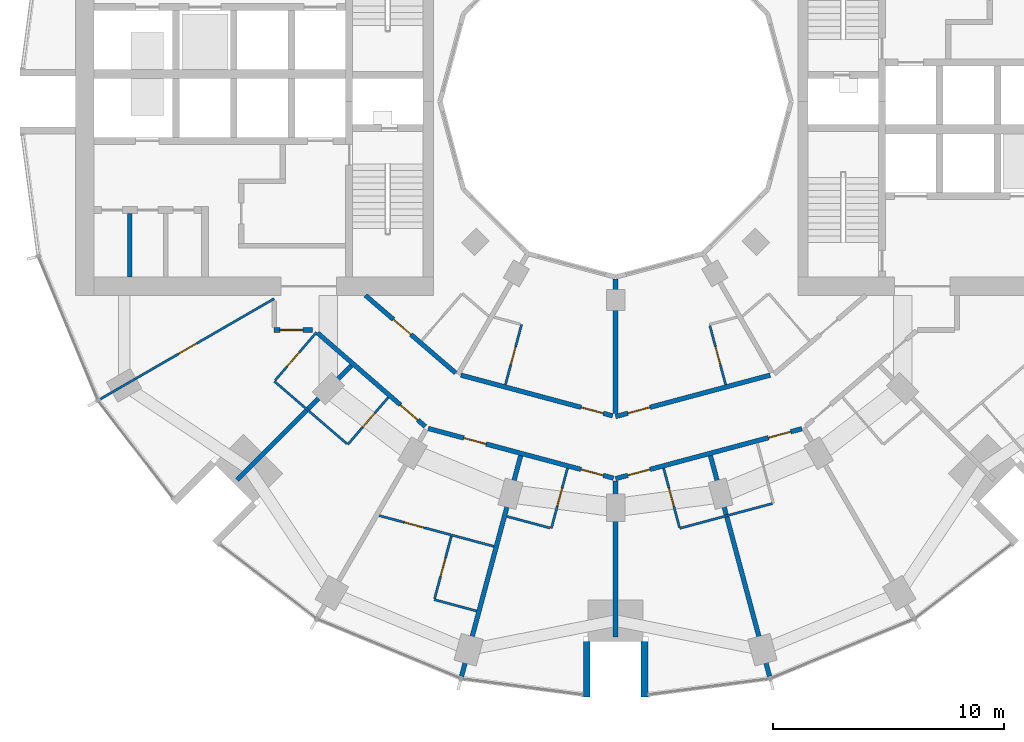
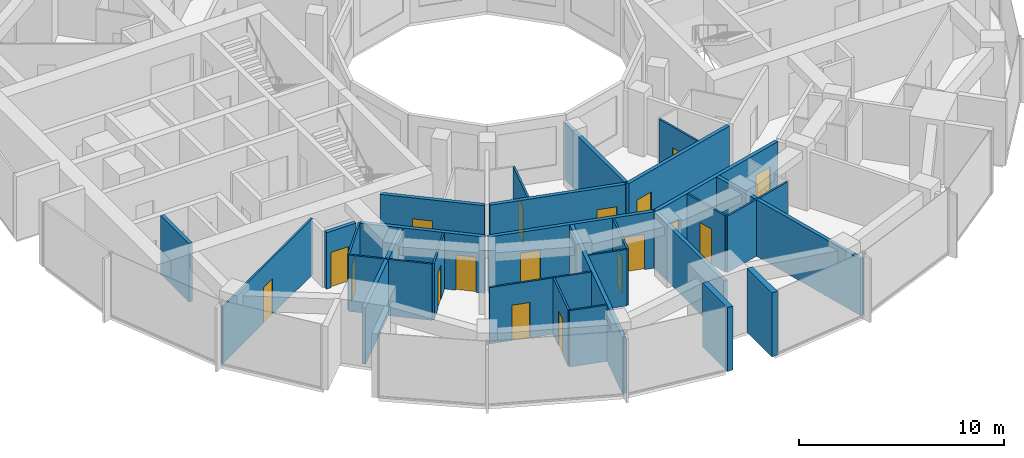
# One storey, part 8 of 15: 28 walls, 18 doors, 18 openings.
"""IFC4 building model written with IfcOpenShell, lengths in metres."""

from ifc_helpers import new_model, si_unit, direction, frame, frame_2d, origin, place, context, subcontext, project, spatial, rectangle, extrude, material, layer, layer_set, type_object, element, fill, save


model = new_model("IFC4")

# Units and contexts
model_context = context("Model", 3, precision=1e-05, world=origin(), true_north=direction((0.0, 1.0)))
body_context = subcontext(model_context, "Body", "Model", "MODEL_VIEW")
ifc_project = project(units=[si_unit("LENGTHUNIT", "METRE"), si_unit("AREAUNIT", "SQUARE_METRE"), si_unit("VOLUMEUNIT", "CUBIC_METRE"), si_unit("PLANEANGLEUNIT", "RADIAN"), si_unit("MASSUNIT", "GRAM", prefix="KILO")], contexts=[model_context])

# Site, building, storey
site_placement = place(None, origin())
site = spatial("IfcSite", under=ifc_project, at=site_placement, CompositionType="ELEMENT")
building_placement = place(site_placement, origin())
building = spatial("IfcBuilding", under=site, at=building_placement, Name="Torre Brocal", CompositionType="ELEMENT")
storey_placement = place(building_placement, frame((0.0, 0.0, 51.60009765625)))
storey = spatial("IfcBuildingStorey", under=building, at=storey_placement, Name="L11", CompositionType="ELEMENT", Elevation=51.60009765625)

# Walls
ifc_material_1 = material(Name="Masonry block", Category="masonry")
ifc_layer_1 = layer(ifc_material_1, 0.199951171875)
ifc_layer_set_1 = layer_set([ifc_layer_1], Name="Masonry block")
wall_type_1 = type_object("IfcWallType", Name="CORE PARTITION 200", PredefinedType="PARTITIONING", material=ifc_layer_set_1)
wall_1_placement = place(storey_placement, frame((58.949951171875, 70.14990234375, 0.0), z_axis=(0.0, 0.0, 1.0), x_axis=(0.0, -1.0, 0.0)))
element("IfcWall", 1, at=wall_1_placement, inside=storey, type_object=wall_type_1, Name="Wall CP200", PredefinedType="PARTITIONING", context=body_context, shape_type="SweptSolid", body=[
    extrude(rectangle(XDim=2.75, YDim=0.199951171875, at=frame_2d((1.375, 0.0))), origin(), (0.0, 0.0, 1.0), 3.47998046875),
])
ifc_material_2 = material(Name="Concrete C80", Category="concrete")
ifc_layer_2 = layer(ifc_material_2, 0.300048828125)
ifc_layer_set_2 = layer_set([ifc_layer_2], Name="Concrete C80")
wall_type_2 = type_object("IfcWallType", Name="NOTCH RETURN WALL 300 C80", PredefinedType="NOTDEFINED", material=ifc_layer_set_2)
for number, where, z_axis, x_axis, name in (
    (2, (78.75, 51.60009765625, 0.0), (0.0, 0.0, 1.0), (0.0, -1.0, 0.0), "NOTCH RETURN WALL"),
    (3, (81.25, 51.60009765625, 0.0), (0.0, 0.0, 1.0), (0.0, -1.0, 0.0), "NOTCH RETURN WALL"),
):
    element("IfcWall", number, at=place(storey_placement, frame(where, z_axis=z_axis, x_axis=x_axis)), inside=storey, type_object=wall_type_2, Name=name, PredefinedType="NOTDEFINED", context=body_context, shape_type="SweptSolid", body=[
        extrude(rectangle(XDim=2.415771484375, YDim=0.300048828125, at=frame_2d((1.2080078125, 0.0))), origin(), (0.0, 0.0, 1.0), 3.7998046875),
    ])

# Wall, opening, door
ifc_material_3 = material(Name="Gypsum board", Category="Gypsum")
ifc_layer_3 = layer(ifc_material_3, 0.10009765625)
ifc_layer_set_3 = layer_set([ifc_layer_3], Name="Gypsum board")
wall_type_3 = type_object("IfcWallType", Name="PARTITION 100", PredefinedType="PARTITIONING", material=ifc_layer_set_3)
wall_2_placement = place(storey_placement, frame((57.65869140625, 62.10107421875, 0.0), z_axis=(0.0, 0.0, 1.0), x_axis=(0.86602264145, 0.500004784474, 0.0)))
wall_2 = element("IfcWall", 4, at=wall_2_placement, inside=storey, type_object=wall_type_3, Name="ROOM PARTITION", PredefinedType="PARTITIONING", context=body_context, shape_type="SweptSolid", body=[
    extrude(rectangle(XDim=8.7080078125, YDim=0.10009765625, at=frame_2d((4.35400390625, 0.0))), origin(), (0.0, 0.0, 1.0), 3.349853515625),
])
opening_1_placement = place(wall_2_placement, frame((3.928955078125, 0.0, 0.0)))
opening_1 = element("IfcOpeningElement", 5, at=opening_1_placement, cuts=wall_2, Name="Opening H03-D38", PredefinedType="OPENING", context=body_context, shape_type="SweptSolid", body=[
    extrude(rectangle(XDim=0.89990234375, YDim=2.10009765625, at=frame_2d((0.449951171875, 1.050048828125))), frame((0.0, 0.06005859375, 0.0), z_axis=(0.0, -1.0, 0.0), x_axis=(1.0, 0.0, 0.0)), (0.0, 0.0, 1.0), 0.1201171875),
])
ifc_material_4 = material(Name="Timber", Category="wood")
door_type_1 = type_object("IfcDoorType", Name="ROOM DOOR 900X2100", OperationType="SINGLE_SWING_LEFT", PredefinedType="DOOR", material=ifc_material_4)
door_1_placement = place(opening_1_placement, origin())
door_1 = element("IfcDoor", 6, at=door_1_placement, inside=storey, type_object=door_type_1, Name="H03-D38", OperationType="SINGLE_SWING_RIGHT", OverallHeight=2.10009765625, OverallWidth=0.89990234375, PredefinedType="DOOR", context=body_context, shape_type="SweptSolid", body=[
    extrude(rectangle(XDim=0.89990234375, YDim=2.10009765625, at=frame_2d((0.449951171875, 1.050048828125))), frame((0.0, 0.02490234375, 0.0), z_axis=(0.0, -1.0, 0.0), x_axis=(1.0, 0.0, 0.0)), (0.0, 0.0, 1.0), 0.050048828125),
])
fill(opening_1, door_1)

wall_3_placement = place(storey_placement, frame((65.24169921875, 62.911865234375, 0.0), z_axis=(0.0, 0.0, 1.0), x_axis=(0.652069888227, 0.758158862553, 0.0)))
wall_3 = element("IfcWall", 7, at=wall_3_placement, inside=storey, type_object=wall_type_3, Name="BATHROOM WALL", PredefinedType="PARTITIONING", context=body_context, shape_type="SweptSolid", body=[
    extrude(rectangle(XDim=2.75, YDim=0.10009765625, at=frame_2d((1.375, 0.0))), origin(), (0.0, 0.0, 1.0), 3.349853515625),
])
opening_2_placement = place(wall_3_placement, frame((0.800048828125, 0.0, 0.0)))
opening_2 = element("IfcOpeningElement", 8, at=opening_2_placement, cuts=wall_3, Name="Opening H03-D37", PredefinedType="OPENING", context=body_context, shape_type="SweptSolid", body=[
    extrude(rectangle(XDim=0.800048828125, YDim=2.10009765625, at=frame_2d((0.39990234375, 1.050048828125))), frame((0.0, 0.06005859375, 0.0), z_axis=(0.0, -1.0, 0.0), x_axis=(1.0, 0.0, 0.0)), (0.0, 0.0, 1.0), 0.1201171875),
])
ifc_material_5 = material(Name="Timber", Category="wood")
door_type_2 = type_object("IfcDoorType", Name="BATHROOM DOOR 800X2100", OperationType="SINGLE_SWING_LEFT", PredefinedType="DOOR", material=ifc_material_5)
door_2_placement = place(opening_2_placement, frame((0.800048828125, 0.0, 0.0), z_axis=(0.0, 0.0, 1.0), x_axis=(-1.0, 0.0, 0.0)))
door_2 = element("IfcDoor", 9, at=door_2_placement, inside=storey, type_object=door_type_2, Name="H03-D37", OperationType="SINGLE_SWING_RIGHT", OverallHeight=2.10009765625, OverallWidth=0.800048828125, PredefinedType="DOOR", context=body_context, shape_type="SweptSolid", body=[
    extrude(rectangle(XDim=0.800048828125, YDim=2.10009765625, at=frame_2d((0.39990234375, 1.050048828125))), frame((0.0, 0.02490234375, 0.0), z_axis=(0.0, -1.0, 0.0), x_axis=(1.0, 0.0, 0.0)), (0.0, 0.0, 1.0), 0.050048828125),
])
fill(opening_2, door_2)

# Wall
wall_4_placement = place(storey_placement, frame((65.209228515625, 62.87451171875, 0.0), z_axis=(0.0, 0.0, 1.0), x_axis=(0.757930378138, -0.652335451969, 0.0)))
element("IfcWall", 10, at=wall_4_placement, inside=storey, type_object=wall_type_3, Name="BATHROOM WALL", PredefinedType="PARTITIONING", context=body_context, shape_type="SweptSolid", body=[
    extrude(rectangle(XDim=4.150146484375, YDim=0.10009765625, at=frame_2d((2.0751953125, 0.0))), origin(), (0.0, 0.0, 1.0), 3.349853515625),
])

# Wall, opening, door
wall_5_placement = place(storey_placement, frame((68.39306640625, 60.135009765625, 0.0), z_axis=(0.0, 0.0, 1.0), x_axis=(0.652061182569, 0.758166349944, 0.0)))
wall_5 = element("IfcWall", 11, at=wall_5_placement, inside=storey, type_object=wall_type_3, Name="BATHROOM WALL", PredefinedType="PARTITIONING", context=body_context, shape_type="SweptSolid", body=[
    extrude(rectangle(XDim=2.689697265625, YDim=0.10009765625, at=frame_2d((1.3447265625, 0.0))), origin(), (0.0, 0.0, 1.0), 3.349853515625),
])
opening_3_placement = place(wall_5_placement, frame((1.0, 0.0, 0.0)))
opening_3 = element("IfcOpeningElement", 12, at=opening_3_placement, cuts=wall_5, Name="Opening H03-D35", PredefinedType="OPENING", context=body_context, shape_type="SweptSolid", body=[
    extrude(rectangle(XDim=0.800048828125, YDim=2.10009765625, at=frame_2d((0.39990234375, 1.050048828125))), frame((0.0, 0.06005859375, 0.0), z_axis=(0.0, -1.0, 0.0), x_axis=(1.0, 0.0, 0.0)), (0.0, 0.0, 1.0), 0.1201171875),
])
door_3_placement = place(opening_3_placement, origin())
door_3 = element("IfcDoor", 13, at=door_3_placement, inside=storey, type_object=door_type_2, Name="H03-D35", OperationType="SINGLE_SWING_RIGHT", OverallHeight=2.10009765625, OverallWidth=0.800048828125, PredefinedType="DOOR", context=body_context, shape_type="SweptSolid", body=[
    extrude(rectangle(XDim=0.800048828125, YDim=2.10009765625, at=frame_2d((0.39990234375, 1.050048828125))), frame((0.0, 0.02490234375, 0.0), z_axis=(0.0, -1.0, 0.0), x_axis=(1.0, 0.0, 0.0)), (0.0, 0.0, 1.0), 0.050048828125),
])
fill(opening_3, door_3)

wall_6_placement = place(storey_placement, frame((69.759521484375, 57.050537109375, 0.0), z_axis=(0.0, 0.0, 1.0), x_axis=(0.965880475586, -0.258988236958, 0.0)))
wall_6 = element("IfcWall", 14, at=wall_6_placement, inside=storey, type_object=wall_type_3, Name="BATHROOM WALL", PredefinedType="PARTITIONING", context=body_context, shape_type="SweptSolid", body=[
    extrude(rectangle(XDim=5.14599609375, YDim=0.10009765625, at=frame_2d((2.572998046875, 0.0))), origin(), (0.0, 0.0, 1.0), 3.349853515625),
])
opening_4_placement = place(wall_6_placement, frame((1.127685546875, 0.0, 0.0)))
opening_4 = element("IfcOpeningElement", 15, at=opening_4_placement, cuts=wall_6, Name="Opening H03-D32", PredefinedType="OPENING", context=body_context, shape_type="SweptSolid", body=[
    extrude(rectangle(XDim=0.89990234375, YDim=2.10009765625, at=frame_2d((0.449951171875, 1.050048828125))), frame((0.0, 0.06005859375, 0.0), z_axis=(0.0, -1.0, 0.0), x_axis=(1.0, 0.0, 0.0)), (0.0, 0.0, 1.0), 0.1201171875),
])
door_4_placement = place(opening_4_placement, origin())
door_4 = element("IfcDoor", 16, at=door_4_placement, inside=storey, type_object=door_type_1, Name="H03-D32", OperationType="SINGLE_SWING_LEFT", OverallHeight=2.10009765625, OverallWidth=0.89990234375, PredefinedType="DOOR", context=body_context, shape_type="SweptSolid", body=[
    extrude(rectangle(XDim=0.89990234375, YDim=2.10009765625, at=frame_2d((0.449951171875, 1.050048828125))), frame((0.0, 0.02490234375, 0.0), z_axis=(0.0, -1.0, 0.0), x_axis=(1.0, 0.0, 0.0)), (0.0, 0.0, 1.0), 0.050048828125),
])
fill(opening_4, door_4)

wall_7_placement = place(storey_placement, frame((72.156982421875, 53.457275390625, 0.0), z_axis=(0.0, 0.0, 1.0), x_axis=(0.258975798317, 0.965883810759, 0.0)))
wall_7 = element("IfcWall", 17, at=wall_7_placement, inside=storey, type_object=wall_type_3, Name="BATHROOM WALL", PredefinedType="PARTITIONING", context=body_context, shape_type="SweptSolid", body=[
    extrude(rectangle(XDim=2.7998046875, YDim=0.10009765625, at=frame_2d((1.39990234375, 0.0))), origin(), (0.0, 0.0, 1.0), 3.349853515625),
])
opening_5_placement = place(wall_7_placement, frame((1.0, 0.0, 0.0)))
opening_5 = element("IfcOpeningElement", 18, at=opening_5_placement, cuts=wall_7, Name="Opening H03-D33", PredefinedType="OPENING", context=body_context, shape_type="SweptSolid", body=[
    extrude(rectangle(XDim=0.800048828125, YDim=2.10009765625, at=frame_2d((0.39990234375, 1.050048828125))), frame((0.0, 0.06005859375, 0.0), z_axis=(0.0, -1.0, 0.0), x_axis=(1.0, 0.0, 0.0)), (0.0, 0.0, 1.0), 0.1201171875),
])
door_5_placement = place(opening_5_placement, frame((0.800048828125, 0.0, 0.0), z_axis=(0.0, 0.0, 1.0), x_axis=(-1.0, 0.0, 0.0)))
door_5 = element("IfcDoor", 19, at=door_5_placement, inside=storey, type_object=door_type_2, Name="H03-D33", OperationType="SINGLE_SWING_LEFT", OverallHeight=2.10009765625, OverallWidth=0.800048828125, PredefinedType="DOOR", context=body_context, shape_type="SweptSolid", body=[
    extrude(rectangle(XDim=0.800048828125, YDim=2.10009765625, at=frame_2d((0.39990234375, 1.050048828125))), frame((0.0, 0.02490234375, 0.0), z_axis=(0.0, -1.0, 0.0), x_axis=(1.0, 0.0, 0.0)), (0.0, 0.0, 1.0), 0.050048828125),
])
fill(opening_5, door_5)

# Walls
wall_8_placement = place(storey_placement, frame((72.14404296875, 53.408935546875, 0.0), z_axis=(0.0, 0.0, 1.0), x_axis=(0.965907902023, -0.258885930111, 0.0)))
element("IfcWall", 20, at=wall_8_placement, inside=storey, type_object=wall_type_3, Name="BATHROOM WALL", PredefinedType="PARTITIONING", context=body_context, shape_type="SweptSolid", body=[
    extrude(rectangle(XDim=1.900146484375, YDim=0.10009765625, at=frame_2d((0.9501953125, 0.0))), origin(), (0.0, 0.0, 1.0), 3.349853515625),
])
wall_9_placement = place(storey_placement, frame((75.285888671875, 57.01806640625, 0.0), z_axis=(0.0, 0.0, 1.0), x_axis=(0.966003902934, -0.258527483095, 0.0)))
element("IfcWall", 21, at=wall_9_placement, inside=storey, type_object=wall_type_3, Name="BATHROOM WALL", PredefinedType="PARTITIONING", context=body_context, shape_type="SweptSolid", body=[
    extrude(rectangle(XDim=1.9501953125, YDim=0.10009765625, at=frame_2d((0.97509765625, 0.0))), origin(), (0.0, 0.0, 1.0), 3.349853515625),
])

# Wall, opening, door
wall_10_placement = place(storey_placement, frame((75.226806640625, 62.728759765625, 0.0), z_axis=(0.0, 0.0, 1.0), x_axis=(0.258945475746, 0.965891940432, 0.0)))
wall_10 = element("IfcWall", 22, at=wall_10_placement, inside=storey, type_object=wall_type_3, Name="BATHROOM WALL", PredefinedType="PARTITIONING", context=body_context, shape_type="SweptSolid", body=[
    extrude(rectangle(XDim=2.7001953125, YDim=0.10009765625, at=frame_2d((1.35009765625, 0.0))), origin(), (0.0, 0.0, 1.0), 3.349853515625),
])
opening_6_placement = place(wall_10_placement, frame((0.900146484375, 0.0, 0.0)))
opening_6 = element("IfcOpeningElement", 23, at=opening_6_placement, cuts=wall_10, Name="Opening H03-D44", PredefinedType="OPENING", context=body_context, shape_type="SweptSolid", body=[
    extrude(rectangle(XDim=0.800048828125, YDim=2.10009765625, at=frame_2d((0.39990234375, 1.050048828125))), frame((0.0, 0.06005859375, 0.0), z_axis=(0.0, -1.0, 0.0), x_axis=(1.0, 0.0, 0.0)), (0.0, 0.0, 1.0), 0.1201171875),
])
door_6_placement = place(opening_6_placement, origin())
door_6 = element("IfcDoor", 24, at=door_6_placement, inside=storey, type_object=door_type_2, Name="H03-D44", OperationType="SINGLE_SWING_LEFT", OverallHeight=2.10009765625, OverallWidth=0.800048828125, PredefinedType="DOOR", context=body_context, shape_type="SweptSolid", body=[
    extrude(rectangle(XDim=0.800048828125, YDim=2.10009765625, at=frame_2d((0.39990234375, 1.050048828125))), frame((0.0, 0.02490234375, 0.0), z_axis=(0.0, -1.0, 0.0), x_axis=(1.0, 0.0, 0.0)), (0.0, 0.0, 1.0), 0.050048828125),
])
fill(opening_6, door_6)

wall_11_placement = place(storey_placement, frame((77.218017578125, 56.5009765625, 0.0), z_axis=(0.0, 0.0, 1.0), x_axis=(0.258591408257, 0.965986792651, 0.0)))
wall_11 = element("IfcWall", 25, at=wall_11_placement, inside=storey, type_object=wall_type_3, Name="BATHROOM WALL", PredefinedType="PARTITIONING", context=body_context, shape_type="SweptSolid", body=[
    extrude(rectangle(XDim=2.69921875, YDim=0.10009765625, at=frame_2d((1.349609375, 0.0))), origin(), (0.0, 0.0, 1.0), 3.349853515625),
])
opening_7_placement = place(wall_11_placement, frame((0.99951171875, 0.0, 0.0)))
opening_7 = element("IfcOpeningElement", 26, at=opening_7_placement, cuts=wall_11, Name="Opening H03-D30", PredefinedType="OPENING", context=body_context, shape_type="SweptSolid", body=[
    extrude(rectangle(XDim=0.800048828125, YDim=2.10009765625, at=frame_2d((0.39990234375, 1.050048828125))), frame((0.0, 0.06005859375, 0.0), z_axis=(0.0, -1.0, 0.0), x_axis=(1.0, 0.0, 0.0)), (0.0, 0.0, 1.0), 0.1201171875),
])
door_7_placement = place(opening_7_placement, origin())
door_7 = element("IfcDoor", 27, at=door_7_placement, inside=storey, type_object=door_type_2, Name="H03-D30", OperationType="SINGLE_SWING_RIGHT", OverallHeight=2.10009765625, OverallWidth=0.800048828125, PredefinedType="DOOR", context=body_context, shape_type="SweptSolid", body=[
    extrude(rectangle(XDim=0.800048828125, YDim=2.10009765625, at=frame_2d((0.39990234375, 1.050048828125))), frame((0.0, 0.02490234375, 0.0), z_axis=(0.0, -1.0, 0.0), x_axis=(1.0, 0.0, 0.0)), (0.0, 0.0, 1.0), 0.050048828125),
])
fill(opening_7, door_7)

wall_12_placement = place(storey_placement, frame((82.083984375, 59.1083984375, 0.0), z_axis=(0.0, 0.0, 1.0), x_axis=(0.258591746437, -0.965986702121, 0.0)))
wall_12 = element("IfcWall", 28, at=wall_12_placement, inside=storey, type_object=wall_type_3, Name="BATHROOM WALL", PredefinedType="PARTITIONING", context=body_context, shape_type="SweptSolid", body=[
    extrude(rectangle(XDim=2.649169921875, YDim=0.10009765625, at=frame_2d((1.32470703125, 0.0))), origin(), (0.0, 0.0, 1.0), 3.349853515625),
])
opening_8_placement = place(wall_12_placement, frame((0.899658203125, 0.0, 0.0)))
opening_8 = element("IfcOpeningElement", 29, at=opening_8_placement, cuts=wall_12, Name="Opening H03-D28", PredefinedType="OPENING", context=body_context, shape_type="SweptSolid", body=[
    extrude(rectangle(XDim=0.800048828125, YDim=2.10009765625, at=frame_2d((0.39990234375, 1.050048828125))), frame((0.0, 0.06005859375, 0.0), z_axis=(0.0, -1.0, 0.0), x_axis=(1.0, 0.0, 0.0)), (0.0, 0.0, 1.0), 0.1201171875),
])
door_8_placement = place(opening_8_placement, origin())
door_8 = element("IfcDoor", 30, at=door_8_placement, inside=storey, type_object=door_type_2, Name="H03-D28", OperationType="SINGLE_SWING_LEFT", OverallHeight=2.10009765625, OverallWidth=0.800048828125, PredefinedType="DOOR", context=body_context, shape_type="SweptSolid", body=[
    extrude(rectangle(XDim=0.800048828125, YDim=2.10009765625, at=frame_2d((0.39990234375, 1.050048828125))), frame((0.0, 0.02490234375, 0.0), z_axis=(0.0, -1.0, 0.0), x_axis=(1.0, 0.0, 0.0)), (0.0, 0.0, 1.0), 0.050048828125),
])
fill(opening_8, door_8)

# Wall
wall_13_placement = place(storey_placement, frame((82.781982421875, 56.5009765625, 0.0), z_axis=(0.0, 0.0, 1.0), x_axis=(0.965999228418, 0.258544949083, 0.0)))
element("IfcWall", 31, at=wall_13_placement, inside=storey, type_object=wall_type_3, Name="BATHROOM WALL", PredefinedType="PARTITIONING", context=body_context, shape_type="SweptSolid", body=[
    extrude(rectangle(XDim=4.150146484375, YDim=0.10009765625, at=frame_2d((2.0751953125, 0.0))), origin(), (0.0, 0.0, 1.0), 3.349853515625),
])

# Wall, opening, door
wall_14_placement = place(storey_placement, frame((84.0869140625, 65.288818359375, 0.0), z_axis=(0.0, 0.0, 1.0), x_axis=(0.258929459649, -0.965896234037, 0.0)))
wall_14 = element("IfcWall", 32, at=wall_14_placement, inside=storey, type_object=wall_type_3, Name="BATHROOM WALL", PredefinedType="PARTITIONING", context=body_context, shape_type="SweptSolid", body=[
    extrude(rectangle(XDim=2.650390625, YDim=0.10009765625, at=frame_2d((1.3251953125, 0.0))), origin(), (0.0, 0.0, 1.0), 3.349853515625),
])
opening_9_placement = place(wall_14_placement, frame((0.9501953125, 0.0, 0.0)))
opening_9 = element("IfcOpeningElement", 33, at=opening_9_placement, cuts=wall_14, Name="Opening H03-D42", PredefinedType="OPENING", context=body_context, shape_type="SweptSolid", body=[
    extrude(rectangle(XDim=0.800048828125, YDim=2.10009765625, at=frame_2d((0.39990234375, 1.050048828125))), frame((0.0, 0.06005859375, 0.0), z_axis=(0.0, -1.0, 0.0), x_axis=(1.0, 0.0, 0.0)), (0.0, 0.0, 1.0), 0.1201171875),
])
door_9_placement = place(opening_9_placement, origin())
door_9 = element("IfcDoor", 34, at=door_9_placement, inside=storey, type_object=door_type_2, Name="H03-D42", OperationType="SINGLE_SWING_RIGHT", OverallHeight=2.10009765625, OverallWidth=0.800048828125, PredefinedType="DOOR", context=body_context, shape_type="SweptSolid", body=[
    extrude(rectangle(XDim=0.800048828125, YDim=2.10009765625, at=frame_2d((0.39990234375, 1.050048828125))), frame((0.0, 0.02490234375, 0.0), z_axis=(0.0, -1.0, 0.0), x_axis=(1.0, 0.0, 0.0)), (0.0, 0.0, 1.0), 0.050048828125),
])
fill(opening_9, door_9)

# Wall
ifc_material_6 = material(Name="Gypsum board", Category="Gypsum")
ifc_layer_4 = layer(ifc_material_6, 0.199951171875)
ifc_layer_set_4 = layer_set([ifc_layer_4], Name="Gypsum board")
wall_type_4 = type_object("IfcWallType", Name="PARTITION 200 EI60", PredefinedType="PARTITIONING", material=ifc_layer_set_4)
wall_15_placement = place(storey_placement, frame((63.595703125, 58.595703125, 0.0), z_axis=(0.0, 0.0, 1.0), x_axis=(0.707106781187, 0.707106781187, 0.0)))
element("IfcWall", 35, at=wall_15_placement, inside=storey, type_object=wall_type_4, Name="BATHROOM WALL", PredefinedType="PARTITIONING", context=body_context, shape_type="SweptSolid", body=[
    extrude(rectangle(XDim=7.00537109375, YDim=0.199951171875, at=frame_2d((3.502685546875, 0.0))), origin(), (0.0, 0.0, 1.0), 3.349853515625),
])

# Wall, opening, door
wall_16_placement = place(storey_placement, frame((65.199951171875, 65.10009765625, 0.0), z_axis=(0.0, 0.0, 1.0), x_axis=(1.0, 0.0, 0.0)))
wall_16 = element("IfcWall", 36, at=wall_16_placement, inside=storey, type_object=wall_type_4, Name="GUESTROOM CORRIDOR WALL", PredefinedType="PARTITIONING", context=body_context, shape_type="SweptSolid", body=[
    extrude(rectangle(XDim=1.6650390625, YDim=0.199951171875, at=frame_2d((0.83251953125, 0.0))), origin(), (0.0, 0.0, 1.0), 3.349853515625),
])
opening_10_placement = place(wall_16_placement, frame((0.25, 0.0, 0.0)))
opening_10 = element("IfcOpeningElement", 37, at=opening_10_placement, cuts=wall_16, Name="Opening H03-D36", PredefinedType="OPENING", context=body_context, shape_type="SweptSolid", body=[
    extrude(rectangle(XDim=1.0, YDim=2.10009765625, at=frame_2d((0.5, 1.050048828125))), frame((0.0, 0.10986328125, 0.0), z_axis=(0.0, -1.0, 0.0), x_axis=(1.0, 0.0, 0.0)), (0.0, 0.0, 1.0), 0.219970703125),
])
ifc_material_7 = material(Name="Timber", Category="wood")
door_type_3 = type_object("IfcDoorType", Name="FLAT ENTRY DOOR FD30S 1000X2100", OperationType="SINGLE_SWING_RIGHT", PredefinedType="DOOR", material=ifc_material_7)
door_10_placement = place(opening_10_placement, frame((1.0, 0.0, 0.0), z_axis=(0.0, 0.0, 1.0), x_axis=(-1.0, 0.0, 0.0)))
door_10 = element("IfcDoor", 38, at=door_10_placement, inside=storey, type_object=door_type_3, Name="H03-D36", OperationType="SINGLE_SWING_RIGHT", OverallHeight=2.10009765625, OverallWidth=1.0, PredefinedType="DOOR", context=body_context, shape_type="SweptSolid", body=[
    extrude(rectangle(XDim=1.0, YDim=2.10009765625, at=frame_2d((0.5, 1.050048828125))), frame((0.0, 0.02490234375, 0.0), z_axis=(0.0, -1.0, 0.0), x_axis=(1.0, 0.0, 0.0)), (0.0, 0.0, 1.0), 0.050048828125),
])
fill(opening_10, door_10)

wall_17_placement = place(storey_placement, frame((67.081298828125, 64.97119140625, 0.0), z_axis=(0.0, 0.0, 1.0), x_axis=(0.755031061605, -0.65568902386, 0.0)))
wall_17 = element("IfcWall", 39, at=wall_17_placement, inside=storey, type_object=wall_type_4, Name="FLAT ENTRANCE WALL", PredefinedType="PARTITIONING", context=body_context, shape_type="SweptSolid", body=[
    extrude(rectangle(XDim=6.185791015625, YDim=0.199951171875, at=frame_2d((3.0927734375, 0.0))), origin(), (0.0, 0.0, 1.0), 3.349853515625),
])
opening_11_placement = place(wall_17_placement, frame((4.755126953125, 0.0, 0.0)))
opening_11 = element("IfcOpeningElement", 40, at=opening_11_placement, cuts=wall_17, Name="Opening H03-D34", PredefinedType="OPENING", context=body_context, shape_type="SweptSolid", body=[
    extrude(rectangle(XDim=1.0, YDim=2.10009765625, at=frame_2d((0.5, 1.050048828125))), frame((0.0, 0.10986328125, 0.0), z_axis=(0.0, -1.0, 0.0), x_axis=(1.0, 0.0, 0.0)), (0.0, 0.0, 1.0), 0.219970703125),
])
door_11_placement = place(opening_11_placement, frame((1.0, 0.0, 0.0), z_axis=(0.0, 0.0, 1.0), x_axis=(-1.0, 0.0, 0.0)))
door_11 = element("IfcDoor", 41, at=door_11_placement, inside=storey, type_object=door_type_3, Name="H03-D34", OperationType="SINGLE_SWING_LEFT", OverallHeight=2.10009765625, OverallWidth=1.0, PredefinedType="DOOR", context=body_context, shape_type="SweptSolid", body=[
    extrude(rectangle(XDim=1.0, YDim=2.10009765625, at=frame_2d((0.5, 1.050048828125))), frame((0.0, 0.02490234375, 0.0), z_axis=(0.0, -1.0, 0.0), x_axis=(1.0, 0.0, 0.0)), (0.0, 0.0, 1.0), 0.050048828125),
])
fill(opening_11, door_11)

wall_18_placement = place(storey_placement, frame((69.158203125, 66.60009765625, 0.0), z_axis=(0.0, 0.0, 1.0), x_axis=(0.757976058094, -0.652282373943, 0.0)))
wall_18 = element("IfcWall", 42, at=wall_18_placement, inside=storey, type_object=wall_type_4, Name="GUESTROOM CORRIDOR WALL", PredefinedType="PARTITIONING", context=body_context, shape_type="SweptSolid", body=[
    extrude(rectangle(XDim=5.160400390625, YDim=0.199951171875, at=frame_2d((2.580078125, 0.0))), origin(), (0.0, 0.0, 1.0), 3.349853515625),
])
opening_12_placement = place(wall_18_placement, frame((1.60009765625, 0.0, 0.0)))
opening_12 = element("IfcOpeningElement", 43, at=opening_12_placement, cuts=wall_18, Name="Opening H03-D45", PredefinedType="OPENING", context=body_context, shape_type="SweptSolid", body=[
    extrude(rectangle(XDim=1.0, YDim=2.10009765625, at=frame_2d((0.5, 1.050048828125))), frame((0.0, 0.10986328125, 0.0), z_axis=(0.0, -1.0, 0.0), x_axis=(1.0, 0.0, 0.0)), (0.0, 0.0, 1.0), 0.219970703125),
])
door_12_placement = place(opening_12_placement, origin())
door_12 = element("IfcDoor", 44, at=door_12_placement, inside=storey, type_object=door_type_3, Name="H03-D45", OperationType="SINGLE_SWING_RIGHT", OverallHeight=2.10009765625, OverallWidth=1.0, PredefinedType="DOOR", context=body_context, shape_type="SweptSolid", body=[
    extrude(rectangle(XDim=1.0, YDim=2.10009765625, at=frame_2d((0.5, 1.050048828125))), frame((0.0, 0.02490234375, 0.0), z_axis=(0.0, -1.0, 0.0), x_axis=(1.0, 0.0, 0.0)), (0.0, 0.0, 1.0), 0.050048828125),
])
fill(opening_12, door_12)

# Wall, openings, doors
wall_19_placement = place(storey_placement, frame((71.877197265625, 60.831298828125, 0.0), z_axis=(0.0, 0.0, 1.0), x_axis=(0.965852509869, -0.259092510851, 0.0)))
wall_19 = element("IfcWall", 45, at=wall_19_placement, inside=storey, type_object=wall_type_4, Name="FLAT ENTRANCE WALL", PredefinedType="PARTITIONING", context=body_context, shape_type="SweptSolid", body=[
    extrude(rectangle(XDim=8.319580078125, YDim=0.199951171875, at=frame_2d((4.15966796875, 0.0))), origin(), (0.0, 0.0, 1.0), 3.349853515625),
])
opening_13_placement = place(wall_19_placement, frame((6.859619140625, 0.0, 0.0)))
opening_13 = element("IfcOpeningElement", 46, at=opening_13_placement, cuts=wall_19, Name="Opening H03-D29", PredefinedType="OPENING", context=body_context, shape_type="SweptSolid", body=[
    extrude(rectangle(XDim=1.0, YDim=2.10009765625, at=frame_2d((0.5, 1.050048828125))), frame((0.0, 0.10986328125, 0.0), z_axis=(0.0, -1.0, 0.0), x_axis=(1.0, 0.0, 0.0)), (0.0, 0.0, 1.0), 0.219970703125),
])
opening_14_placement = place(wall_19_placement, frame((1.599609375, 0.0, 0.0)))
opening_14 = element("IfcOpeningElement", 47, at=opening_14_placement, cuts=wall_19, Name="Opening H03-D31", PredefinedType="OPENING", context=body_context, shape_type="SweptSolid", body=[
    extrude(rectangle(XDim=1.0, YDim=2.10009765625, at=frame_2d((0.5, 1.050048828125))), frame((0.0, 0.10986328125, 0.0), z_axis=(0.0, -1.0, 0.0), x_axis=(1.0, 0.0, 0.0)), (0.0, 0.0, 1.0), 0.219970703125),
])
door_13_placement = place(opening_13_placement, frame((1.0, 0.0, 0.0), z_axis=(0.0, 0.0, 1.0), x_axis=(-1.0, 0.0, 0.0)))
door_13 = element("IfcDoor", 48, at=door_13_placement, inside=storey, type_object=door_type_3, Name="H03-D29", OperationType="SINGLE_SWING_RIGHT", OverallHeight=2.10009765625, OverallWidth=1.0, PredefinedType="DOOR", context=body_context, shape_type="SweptSolid", body=[
    extrude(rectangle(XDim=1.0, YDim=2.10009765625, at=frame_2d((0.5, 1.050048828125))), frame((0.0, 0.02490234375, 0.0), z_axis=(0.0, -1.0, 0.0), x_axis=(1.0, 0.0, 0.0)), (0.0, 0.0, 1.0), 0.050048828125),
])
fill(opening_13, door_13)
door_14_placement = place(opening_14_placement, frame((1.0, 0.0, 0.0), z_axis=(0.0, 0.0, 1.0), x_axis=(-1.0, 0.0, 0.0)))
door_14 = element("IfcDoor", 49, at=door_14_placement, inside=storey, type_object=door_type_3, Name="H03-D31", OperationType="SINGLE_SWING_LEFT", OverallHeight=2.10009765625, OverallWidth=1.0, PredefinedType="DOOR", context=body_context, shape_type="SweptSolid", body=[
    extrude(rectangle(XDim=1.0, YDim=2.10009765625, at=frame_2d((0.5, 1.050048828125))), frame((0.0, 0.02490234375, 0.0), z_axis=(0.0, -1.0, 0.0), x_axis=(1.0, 0.0, 0.0)), (0.0, 0.0, 1.0), 0.050048828125),
])
fill(opening_14, door_14)

# Wall, opening, door
wall_20_placement = place(storey_placement, frame((73.296875, 63.142578125, 0.0), z_axis=(0.0, 0.0, 1.0), x_axis=(0.965859030528, -0.25906820173, 0.0)))
wall_20 = element("IfcWall", 50, at=wall_20_placement, inside=storey, type_object=wall_type_4, Name="GUESTROOM CORRIDOR WALL", PredefinedType="PARTITIONING", context=body_context, shape_type="SweptSolid", body=[
    extrude(rectangle(XDim=6.8095703125, YDim=0.199951171875, at=frame_2d((3.40478515625, 0.0))), origin(), (0.0, 0.0, 1.0), 3.349853515625),
])
opening_15_placement = place(wall_20_placement, frame((5.3896484375, 0.0, 0.0)))
opening_15 = element("IfcOpeningElement", 51, at=opening_15_placement, cuts=wall_20, Name="Opening H03-D43", PredefinedType="OPENING", context=body_context, shape_type="SweptSolid", body=[
    extrude(rectangle(XDim=1.0, YDim=2.10009765625, at=frame_2d((0.5, 1.050048828125))), frame((0.0, 0.10986328125, 0.0), z_axis=(0.0, -1.0, 0.0), x_axis=(1.0, 0.0, 0.0)), (0.0, 0.0, 1.0), 0.219970703125),
])
door_15_placement = place(opening_15_placement, origin())
door_15 = element("IfcDoor", 52, at=door_15_placement, inside=storey, type_object=door_type_3, Name="H03-D43", OperationType="SINGLE_SWING_RIGHT", OverallHeight=2.10009765625, OverallWidth=1.0, PredefinedType="DOOR", context=body_context, shape_type="SweptSolid", body=[
    extrude(rectangle(XDim=1.0, YDim=2.10009765625, at=frame_2d((0.5, 1.050048828125))), frame((0.0, 0.02490234375, 0.0), z_axis=(0.0, -1.0, 0.0), x_axis=(1.0, 0.0, 0.0)), (0.0, 0.0, 1.0), 0.050048828125),
])
fill(opening_15, door_15)

# Walls
wall_21_placement = place(storey_placement, frame((73.322021484375, 50.0810546875, 0.0), z_axis=(0.0, 0.0, 1.0), x_axis=(0.25896431718, 0.965886889044, 0.0)))
element("IfcWall", 53, at=wall_21_placement, inside=storey, type_object=wall_type_4, Name="BATHROOM WALL", PredefinedType="PARTITIONING", context=body_context, shape_type="SweptSolid", body=[
    extrude(rectangle(XDim=9.909423828125, YDim=0.199951171875, at=frame_2d((4.95458984375, 0.0))), origin(), (0.0, 0.0, 1.0), 3.349853515625),
])
wall_22_placement = place(storey_placement, frame((80.0, 51.800048828125, 0.0), z_axis=(0.0, 0.0, 1.0), x_axis=(0.0, 1.0, 0.0)))
element("IfcWall", 54, at=wall_22_placement, inside=storey, type_object=wall_type_4, Name="PARTY PARTITION", PredefinedType="PARTITIONING", context=body_context, shape_type="SweptSolid", body=[
    extrude(rectangle(XDim=6.763916015625, YDim=0.199951171875, at=frame_2d((3.3818359375, 0.0))), origin(), (0.0, 0.0, 1.0), 3.349853515625),
])

# Wall, openings, doors
wall_23_placement = place(storey_placement, frame((79.999755859375, 58.65478515625, 0.0), z_axis=(0.0, 0.0, 1.0), x_axis=(0.965974635626, 0.258636817424, 0.0)))
wall_23 = element("IfcWall", 55, at=wall_23_placement, inside=storey, type_object=wall_type_4, Name="GUESTROOM CORRIDOR WALL", PredefinedType="PARTITIONING", context=body_context, shape_type="SweptSolid", body=[
    extrude(rectangle(XDim=8.359619140625, YDim=0.199951171875, at=frame_2d((4.1796875, 0.0))), origin(), (0.0, 0.0, 1.0), 3.349853515625),
])
opening_16_placement = place(wall_23_placement, frame((6.859619140625, 0.0, 0.0)))
opening_16 = element("IfcOpeningElement", 56, at=opening_16_placement, cuts=wall_23, Name="Opening H03-D25", PredefinedType="OPENING", context=body_context, shape_type="SweptSolid", body=[
    extrude(rectangle(XDim=1.0, YDim=2.10009765625, at=frame_2d((0.5, 1.050048828125))), frame((0.0, 0.10986328125, 0.0), z_axis=(0.0, -1.0, 0.0), x_axis=(1.0, 0.0, 0.0)), (0.0, 0.0, 1.0), 0.219970703125),
])
opening_17_placement = place(wall_23_placement, frame((0.550048828125, 0.0, 0.0)))
opening_17 = element("IfcOpeningElement", 57, at=opening_17_placement, cuts=wall_23, Name="Opening H03-D27", PredefinedType="OPENING", context=body_context, shape_type="SweptSolid", body=[
    extrude(rectangle(XDim=1.0, YDim=2.10009765625, at=frame_2d((0.5, 1.050048828125))), frame((0.0, 0.10986328125, 0.0), z_axis=(0.0, -1.0, 0.0), x_axis=(1.0, 0.0, 0.0)), (0.0, 0.0, 1.0), 0.219970703125),
])
door_16_placement = place(opening_16_placement, frame((1.0, 0.0, 0.0), z_axis=(0.0, 0.0, 1.0), x_axis=(-1.0, 0.0, 0.0)))
door_16 = element("IfcDoor", 58, at=door_16_placement, inside=storey, type_object=door_type_3, Name="H03-D25", OperationType="SINGLE_SWING_RIGHT", OverallHeight=2.10009765625, OverallWidth=1.0, PredefinedType="DOOR", context=body_context, shape_type="SweptSolid", body=[
    extrude(rectangle(XDim=1.0, YDim=2.10009765625, at=frame_2d((0.5, 1.050048828125))), frame((0.0, 0.02490234375, 0.0), z_axis=(0.0, -1.0, 0.0), x_axis=(1.0, 0.0, 0.0)), (0.0, 0.0, 1.0), 0.050048828125),
])
fill(opening_16, door_16)
door_17_placement = place(opening_17_placement, frame((1.0, 0.0, 0.0), z_axis=(0.0, 0.0, 1.0), x_axis=(-1.0, 0.0, 0.0)))
door_17 = element("IfcDoor", 59, at=door_17_placement, inside=storey, type_object=door_type_3, Name="H03-D27", OperationType="SINGLE_SWING_LEFT", OverallHeight=2.10009765625, OverallWidth=1.0, PredefinedType="DOOR", context=body_context, shape_type="SweptSolid", body=[
    extrude(rectangle(XDim=1.0, YDim=2.10009765625, at=frame_2d((0.5, 1.050048828125))), frame((0.0, 0.02490234375, 0.0), z_axis=(0.0, -1.0, 0.0), x_axis=(1.0, 0.0, 0.0)), (0.0, 0.0, 1.0), 0.050048828125),
])
fill(opening_17, door_17)

# Wall
wall_24_placement = place(storey_placement, frame((80.0, 61.47607421875, 0.0), z_axis=(0.0, 0.0, 1.0), x_axis=(0.0, 1.0, 0.0)))
element("IfcWall", 60, at=wall_24_placement, inside=storey, type_object=wall_type_4, Name="PARTY PARTITION", PredefinedType="PARTITIONING", context=body_context, shape_type="SweptSolid", body=[
    extrude(rectangle(XDim=5.824951171875, YDim=0.199951171875, at=frame_2d((2.91259765625, 0.0))), origin(), (0.0, 0.0, 1.0), 3.349853515625),
])

# Wall, opening, door
wall_25_placement = place(storey_placement, frame((80.0, 61.345947265625, 0.0), z_axis=(0.0, 0.0, 1.0), x_axis=(0.965924181808, 0.258825182312, 0.0)))
wall_25 = element("IfcWall", 61, at=wall_25_placement, inside=storey, type_object=wall_type_4, Name="GUESTROOM CORRIDOR WALL", PredefinedType="PARTITIONING", context=body_context, shape_type="SweptSolid", body=[
    extrude(rectangle(XDim=6.939697265625, YDim=0.199951171875, at=frame_2d((3.4697265625, 0.0))), origin(), (0.0, 0.0, 1.0), 3.349853515625),
])
opening_18_placement = place(wall_25_placement, frame((0.550048828125, 0.0, 0.0)))
opening_18 = element("IfcOpeningElement", 62, at=opening_18_placement, cuts=wall_25, Name="Opening H03-D41", PredefinedType="OPENING", context=body_context, shape_type="SweptSolid", body=[
    extrude(rectangle(XDim=1.0, YDim=2.10009765625, at=frame_2d((0.5, 1.050048828125))), frame((0.0, 0.10986328125, 0.0), z_axis=(0.0, -1.0, 0.0), x_axis=(1.0, 0.0, 0.0)), (0.0, 0.0, 1.0), 0.219970703125),
])
door_18_placement = place(opening_18_placement, origin())
door_18 = element("IfcDoor", 63, at=door_18_placement, inside=storey, type_object=door_type_3, Name="H03-D41", OperationType="SINGLE_SWING_LEFT", OverallHeight=2.10009765625, OverallWidth=1.0, PredefinedType="DOOR", context=body_context, shape_type="SweptSolid", body=[
    extrude(rectangle(XDim=1.0, YDim=2.10009765625, at=frame_2d((0.5, 1.050048828125))), frame((0.0, 0.02490234375, 0.0), z_axis=(0.0, -1.0, 0.0), x_axis=(1.0, 0.0, 0.0)), (0.0, 0.0, 1.0), 0.050048828125),
])
fill(opening_18, door_18)

# Wall
wall_26_placement = place(storey_placement, frame((84.112060546875, 59.65234375, 0.0), z_axis=(0.0, 0.0, 1.0), x_axis=(0.258843225553, -0.965919346832, 0.0)))
element("IfcWall", 64, at=wall_26_placement, inside=storey, type_object=wall_type_4, Name="BATHROOM WALL", PredefinedType="PARTITIONING", context=body_context, shape_type="SweptSolid", body=[
    extrude(rectangle(XDim=9.9091796875, YDim=0.199951171875, at=frame_2d((4.95458984375, 0.0))), origin(), (0.0, 0.0, 1.0), 3.349853515625),
])

save(model, "model.ifc")
